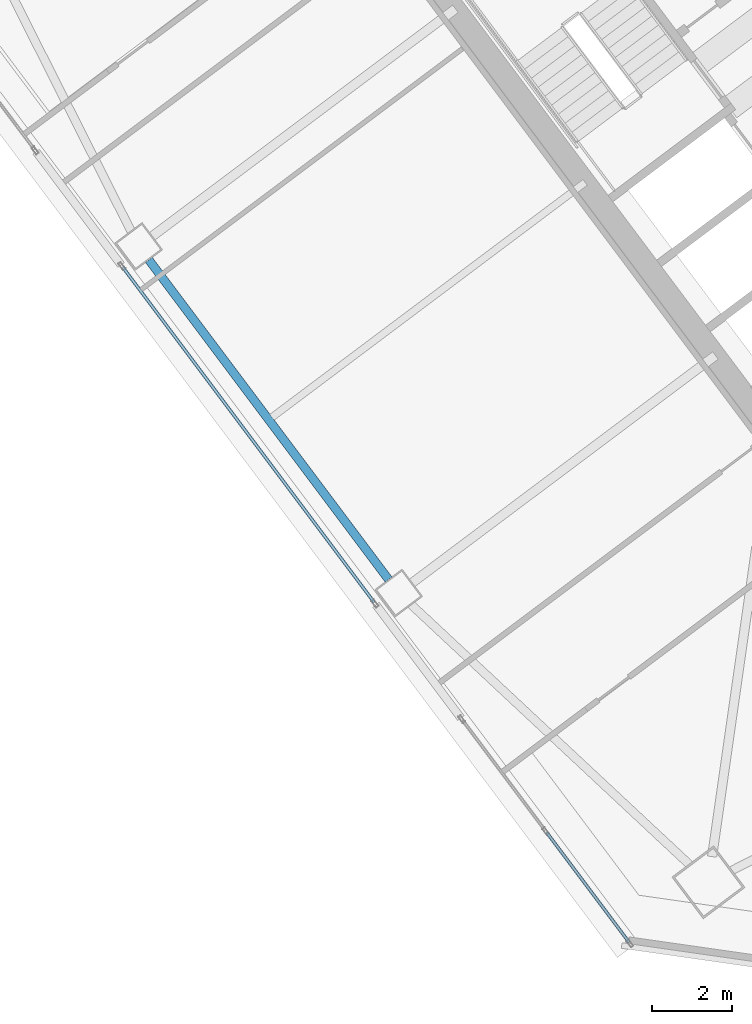
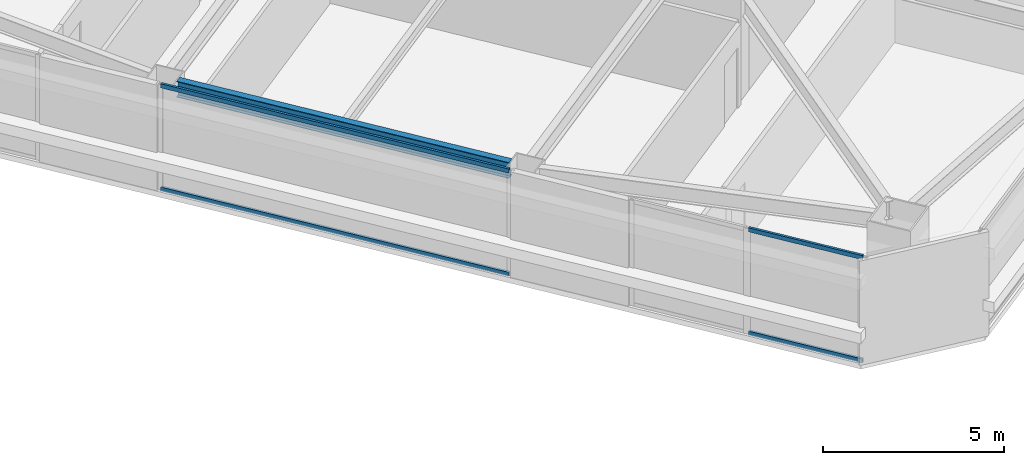
# One storey, part 16 of 46: 4 members, 1 beam, 2 elements without a shape of their own.
"""IFC4 building model written with IfcOpenShell, lengths in metres."""

from ifc_helpers import new_model, si_unit, direction, frame, origin, origin_2d, place, context, subcontext, project, spatial, hollow_rectangle, i_section, extrude, material, material_profile, profile_set, type_object, element, aggregate, save


model = new_model("IFC4")

# Units and contexts
model_context = context("Model", 3, precision=1e-05, world=origin(), true_north=direction((0.0, 1.0)))
body_context = subcontext(model_context, "Body", "Model", "MODEL_VIEW")
ifc_project = project(units=[si_unit("LENGTHUNIT", "METRE"), si_unit("AREAUNIT", "SQUARE_METRE"), si_unit("VOLUMEUNIT", "CUBIC_METRE"), si_unit("PLANEANGLEUNIT", "RADIAN"), si_unit("MASSUNIT", "GRAM", prefix="KILO")], contexts=[model_context])

# Site, building, storey
site_placement = place(None, origin())
site = spatial("IfcSite", under=ifc_project, at=site_placement, CompositionType="ELEMENT")
building_placement = place(site_placement, origin())
building = spatial("IfcBuilding", under=site, at=building_placement, Name="Tashvorn Skyway Center", CompositionType="ELEMENT")
storey_placement = place(building_placement, frame((0.0, 0.0, 132.14990234375)))
storey = spatial("IfcBuildingStorey", under=building, at=storey_placement, Name="L35", CompositionType="ELEMENT", Elevation=132.14990234375)

# Beam
ifc_material_1 = material(Name="Steel ASTM A992 Grade 50", Category="steel")
ifc_material_profile_1 = material_profile(ifc_material_1, i_section(OverallWidth=0.2109375, OverallDepth=0.5390625, WebThickness=0.01171875, FlangeThickness=0.018798828125, at=origin_2d()), Name="W21X73")
ifc_profile_set_1 = profile_set([ifc_material_profile_1], Name="Steel ASTM A992 Grade 50")
beam_type = type_object("IfcBeamType", Name="BM-SPANDREL-W21X73", PredefinedType="SPANDREL", material=ifc_profile_set_1)
beam_placement = place(storey_placement, frame((96.89208984375, 25.39404296875, 3.1005859375), z_axis=(0.599988234018, -0.800008824351, 0.0), x_axis=(0.800008824351, 0.599988234018, 0.0)))
element("IfcBeam", 1, at=beam_placement, inside=storey, type_object=beam_type, Name="Tower 2 L35 Spandrel Beam 11", PredefinedType="SPANDREL", context=body_context, shape_type="SweptSolid", body=[
    extrude(i_section(OverallWidth=0.2109375, OverallDepth=0.5390625, WebThickness=0.01171875, FlangeThickness=0.018798828125, at=origin_2d()), origin(), (0.0, 0.0, 1.0), 9.9599609375),
])

# Curtain wall, members
ifc_material_2 = material(Name="Thermally broken bronze-anodized aluminium 6063-T6", Category="aluminium")
curtain_wall_type = type_object("IfcCurtainWallType", Name="CW-CW-Z3", PredefinedType="NOTDEFINED", material=ifc_material_2)
curtain_wall_1_placement = place(storey_placement, origin())
curtain_wall_1 = element("IfcCurtainWall", 2, at=curtain_wall_1_placement, inside=storey, type_object=curtain_wall_type, Name="Tower 2 L35 West Unitised Curtain Wall Glazing Group 1", PredefinedType="NOTDEFINED")
ifc_material_profile_2 = material_profile(ifc_material_2, hollow_rectangle(XDim=0.074951171875, YDim=0.139892578125, WallThickness=0.004150390625, at=origin_2d()), Name="ALU-TRAN-75x140")
ifc_profile_set_2 = profile_set([ifc_material_profile_2], Name="Thermally broken bronze-anodized aluminium 6063-T6")
member_type = type_object("IfcMemberType", Name="CWT-CW-Z3", PredefinedType="USERDEFINED", material=ifc_profile_set_2)
member_1_placement = place(storey_placement, frame((108.85888671875, 8.387939453125, 0.03759765625), z_axis=(-0.59998856614, 0.800008575267, 0.0), x_axis=(-0.800008575267, -0.59998856614, 0.0)))
member_1 = element("IfcMember", 3, at=member_1_placement, type_object=member_type, Name="CW-Z3 transom 1.1", ObjectType="TRANSOM", PredefinedType="USERDEFINED", context=body_context, shape_type="SweptSolid", body=[
    extrude(hollow_rectangle(XDim=0.074951171875, YDim=0.139892578125, WallThickness=0.004150390625, at=origin_2d()), origin(), (0.0, 0.0, 1.0), 3.41650390625),
])
member_2_placement = place(storey_placement, frame((108.85888671875, 8.387939453125, 3.5126953125), z_axis=(-0.59998856614, 0.800008575267, 0.0), x_axis=(-0.800008575267, -0.59998856614, 0.0)))
member_2 = element("IfcMember", 4, at=member_2_placement, type_object=member_type, Name="CW-Z3 transom 1.2", ObjectType="TRANSOM", PredefinedType="USERDEFINED", context=body_context, shape_type="SweptSolid", body=[
    extrude(hollow_rectangle(XDim=0.074951171875, YDim=0.139892578125, WallThickness=0.004150390625, at=origin_2d()), origin(), (0.0, 0.0, 1.0), 3.41650390625),
])
aggregate(curtain_wall_1, [member_1, member_2])

curtain_wall_2_placement = place(storey_placement, origin())
curtain_wall_2 = element("IfcCurtainWall", 5, at=curtain_wall_2_placement, inside=storey, type_object=curtain_wall_type, Name="Tower 2 L35 West Unitised Curtain Wall Glazing Group 2", PredefinedType="NOTDEFINED")
member_3_placement = place(storey_placement, frame((102.507080078125, 16.857421875, 0.03759765625), z_axis=(-0.599996257181, 0.800002807101, 0.0), x_axis=(-0.800002807101, -0.599996257181, 0.0)))
member_3 = element("IfcMember", 6, at=member_3_placement, type_object=member_type, Name="CW-Z3 transom 1.1", ObjectType="TRANSOM", PredefinedType="USERDEFINED", context=body_context, shape_type="SweptSolid", body=[
    extrude(hollow_rectangle(XDim=0.074951171875, YDim=0.139892578125, WallThickness=0.004150390625, at=origin_2d()), origin(), (0.0, 0.0, 1.0), 10.436767578125),
])
member_4_placement = place(storey_placement, frame((102.507080078125, 16.857421875, 3.5126953125), z_axis=(-0.599996257181, 0.800002807101, 0.0), x_axis=(-0.800002807101, -0.599996257181, 0.0)))
member_4 = element("IfcMember", 7, at=member_4_placement, type_object=member_type, Name="CW-Z3 transom 1.2", ObjectType="TRANSOM", PredefinedType="USERDEFINED", context=body_context, shape_type="SweptSolid", body=[
    extrude(hollow_rectangle(XDim=0.074951171875, YDim=0.139892578125, WallThickness=0.004150390625, at=origin_2d()), origin(), (0.0, 0.0, 1.0), 10.436767578125),
])
aggregate(curtain_wall_2, [member_3, member_4])

save(model, "model.ifc")
